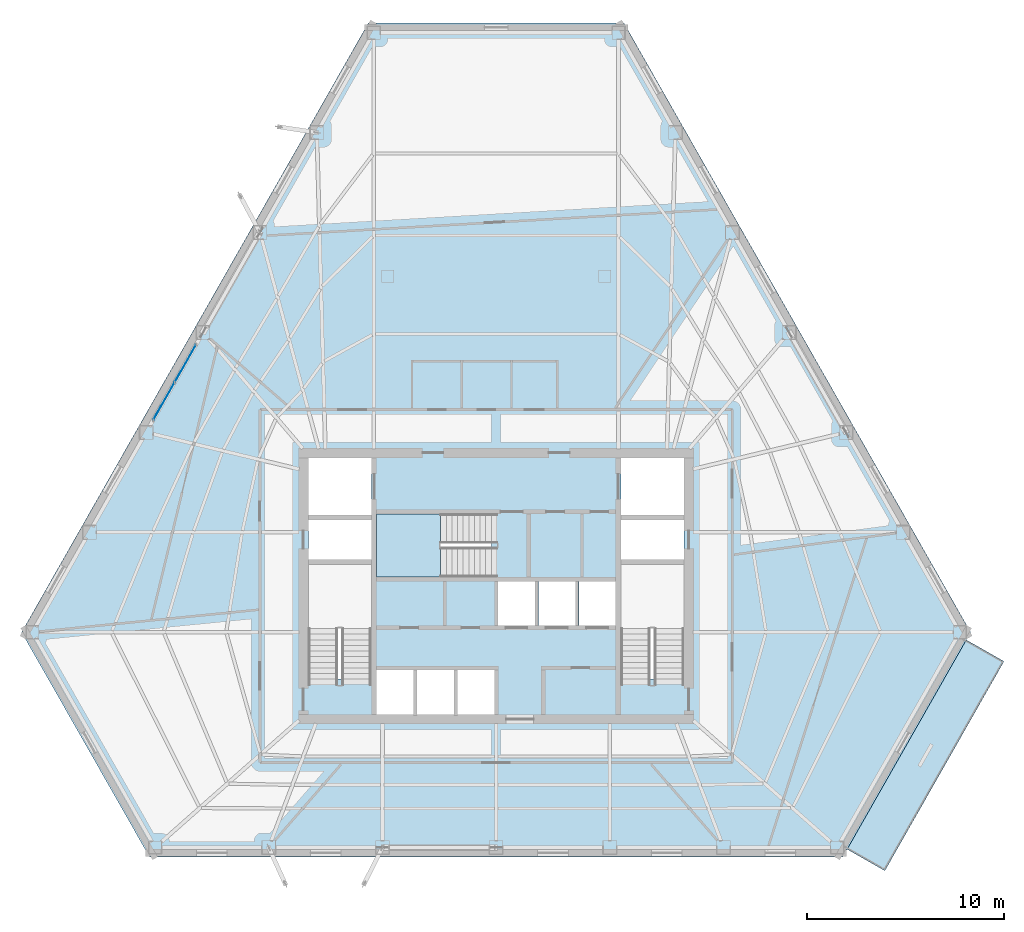
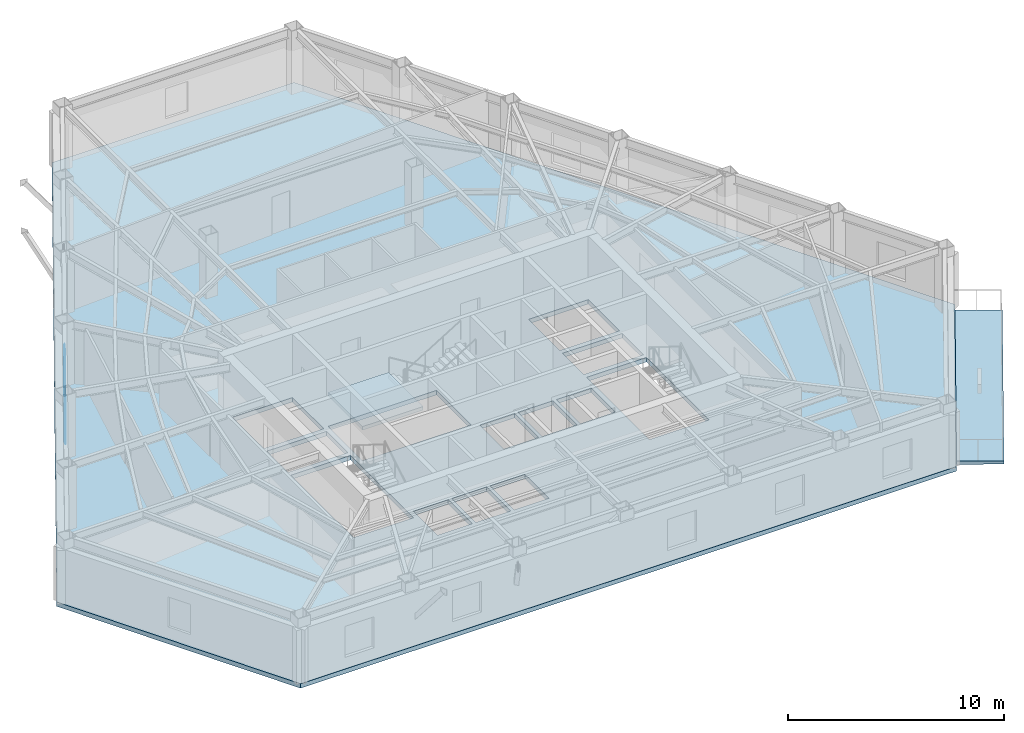
# One storey, part 4 of 12: 3 slabs, 2 plates, 2 elements without a shape of their own.
"""IFC4 building model written with IfcOpenShell, lengths in metres."""

from ifc_helpers import new_model, si_unit, direction, frame, origin, origin_2d, place, context, subcontext, project, spatial, polyline, rectangle, outline, extrude, material, layer, layer_set, type_object, element, aggregate, save


model = new_model("IFC4")

# Units and contexts
model_context = context("Model", 3, precision=1e-05, world=origin(), true_north=direction((0.0, 1.0)))
body_context = subcontext(model_context, "Body", "Model", "MODEL_VIEW")
ifc_project = project(units=[si_unit("LENGTHUNIT", "METRE"), si_unit("AREAUNIT", "SQUARE_METRE"), si_unit("VOLUMEUNIT", "CUBIC_METRE"), si_unit("PLANEANGLEUNIT", "RADIAN"), si_unit("MASSUNIT", "GRAM", prefix="KILO")], contexts=[model_context])

# Site, building, storey
site_placement = place(None, origin())
site = spatial("IfcSite", under=ifc_project, at=site_placement, CompositionType="ELEMENT")
building_placement = place(site_placement, origin())
building = spatial("IfcBuilding", under=site, at=building_placement, Name="Kavelnor Concourse Tower", CompositionType="ELEMENT")
storey_placement = place(building_placement, frame((0.0, 0.0, 93.199951171875)))
storey = spatial("IfcBuildingStorey", under=building, at=storey_placement, Name="L23", CompositionType="ELEMENT", Elevation=93.199951171875)

# Curtain wall, plates
ifc_material_1 = material(Name="Anodised aluminium 6063-T6", Category="aluminium")
ifc_layer_1 = layer(ifc_material_1, 0.139892578125, Name="Anodised aluminium 6063-T6")
ifc_layer_set_1 = layer_set([ifc_layer_1], Name="Anodised aluminium 6063-T6")
curtain_wall_type = type_object("IfcCurtainWallType", Name="CW-TERRACE-PAVILION", PredefinedType="NOTDEFINED", material=ifc_layer_set_1)
curtain_wall_placement = place(storey_placement, origin())
curtain_wall = element("IfcCurtainWall", 1, at=curtain_wall_placement, inside=storey, type_object=curtain_wall_type, Name="L23 Terrace Pavilion Curtain Wall", PredefinedType="NOTDEFINED")
ifc_material_2 = material(Name="Double low-E argon insulated glazing", Category="glass")
ifc_layer_2 = layer(ifc_material_2, 0.02392578125, Name="Double low-E argon insulated glazing")
ifc_layer_set_2 = layer_set([ifc_layer_2], Name="Double low-E argon insulated glazing")
plate_type = type_object("IfcPlateType", Name="CW-TERRACE-PAVILION-PANEL", PredefinedType="CURTAIN_PANEL", material=ifc_layer_set_2)
plate_1_placement = place(storey_placement, frame((22.253662109375, 27.385986328125, 0.06005859375), z_axis=(0.0, 0.0, 1.0), x_axis=(-0.494700455876, -0.869063552887, 0.0)))
plate_1 = element("IfcPlate", 2, at=plate_1_placement, type_object=plate_type, Name="L23 Terrace Pavilion Curtain Wall Vision Panel 1", PredefinedType="CURTAIN_PANEL", context=body_context, shape_type="SweptSolid", body=[
    extrude(rectangle(XDim=2.16455078125, YDim=0.02392578125, at=origin_2d()), origin(), (0.0, 0.0, 1.0), 2.6298828125),
])
plate_2_placement = place(storey_placement, frame((21.15869140625, 25.462158203125, 0.06005859375), z_axis=(0.0, 0.0, 1.0), x_axis=(-0.494700455876, -0.869063552887, 0.0)))
plate_2 = element("IfcPlate", 3, at=plate_2_placement, type_object=plate_type, Name="L23 Terrace Pavilion Curtain Wall Vision Panel 2", PredefinedType="CURTAIN_PANEL", context=body_context, shape_type="SweptSolid", body=[
    extrude(rectangle(XDim=2.16455078125, YDim=0.02392578125, at=origin_2d()), origin(), (0.0, 0.0, 1.0), 2.6298828125),
])
aggregate(curtain_wall, [plate_1, plate_2])

# Stair, slab
ifc_material_3 = material(Name="Concrete C40/50", Category="concrete")
stair_type = type_object("IfcStairType", Name="STR-CORE-1500", PredefinedType="HALF_TURN_STAIR", material=ifc_material_3)
stair_placement = place(storey_placement, origin())
stair = element("IfcStair", 4, at=stair_placement, inside=storey, type_object=stair_type, Name="L23 ST3", PredefinedType="HALF_TURN_STAIR")
ifc_layer_3 = layer(ifc_material_3, 0.199951171875, Name="Concrete C40/50")
ifc_layer_set_3 = layer_set([ifc_layer_3], Name="Concrete C40/50")
slab_type_1 = type_object("IfcSlabType", Name="SLB-LANDING-200", PredefinedType="LANDING", material=ifc_layer_set_3)
slab_1_placement = place(storey_placement, frame((0.0, 0.0, 1.72509765625)))
slab_1 = element("IfcSlab", 5, at=slab_1_placement, type_object=slab_type_1, Name="ST3 landing 1", PredefinedType="LANDING", context=body_context, shape_type="SweptSolid", body=[
    extrude(outline(polyline([(35.18994140625, 19.760009765625), (31.93994140625, 19.760009765625), (31.93994140625, 16.56005859375), (35.18994140625, 16.56005859375), (35.18994140625, 19.760009765625)])), origin(), (0.0, 0.0, 1.0), 0.199951171875),
])
aggregate(stair, [slab_1])

# Slabs
ifc_layer_4 = layer(ifc_material_3, 0.25, Name="Concrete C40/50")
ifc_layer_set_4 = layer_set([ifc_layer_4], Name="Concrete C40/50")
slab_type_2 = type_object("IfcSlabType", Name="SLB-OFFICE-250", PredefinedType="FLOOR", material=ifc_layer_set_4)
slab_2_placement = place(storey_placement, frame((0.0, 0.0, -0.25)))
element("IfcSlab", 6, at=slab_2_placement, inside=storey, type_object=slab_type_2, Name="L23 Composite Structural Floor Slab", PredefinedType="FLOOR", context=body_context, shape_type="SweptSolid", body=[
    extrude(outline(polyline([(44.484619140625, 44.62939453125), (31.515380859375, 44.62939453125), (13.947998046875, 13.76318359375), (20.4326171875, 2.36962890625), (55.5673828125, 2.36962890625), (62.052001953125, 13.76318359375), (44.484619140625, 44.62939453125)]), holes=[polyline([(28.47998046875, 11.3798828125), (31.679931640625, 11.3798828125), (31.679931640625, 17.199951171875), (28.47998046875, 17.199951171875), (28.47998046875, 11.3798828125)]), polyline([(44.320068359375, 11.3798828125), (47.52001953125, 11.3798828125), (47.52001953125, 17.199951171875), (44.320068359375, 17.199951171875), (44.320068359375, 11.3798828125)]), polyline([(31.93994140625, 16.56005859375), (37.760009765625, 16.56005859375), (37.760009765625, 19.760009765625), (31.93994140625, 19.760009765625), (31.93994140625, 16.56005859375)]), polyline([(28.47998046875, 19.699951171875), (31.679931640625, 19.699951171875), (31.679931640625, 22.60009765625), (28.47998046875, 22.60009765625), (28.47998046875, 19.699951171875)]), polyline([(44.320068359375, 19.699951171875), (47.52001953125, 19.699951171875), (47.52001953125, 22.60009765625), (44.320068359375, 22.60009765625), (44.320068359375, 19.699951171875)]), polyline([(38.090087890625, 14.10009765625), (39.9599609375, 14.10009765625), (39.9599609375, 16.340087890625), (38.090087890625, 16.340087890625), (38.090087890625, 14.10009765625)]), polyline([(40.139892578125, 14.10009765625), (42.010009765625, 14.10009765625), (42.010009765625, 16.340087890625), (40.139892578125, 16.340087890625), (40.139892578125, 14.10009765625)]), polyline([(42.18994140625, 14.10009765625), (44.06005859375, 14.10009765625), (44.06005859375, 16.340087890625), (42.18994140625, 16.340087890625), (42.18994140625, 14.10009765625)]), polyline([(31.93994140625, 9.60009765625), (33.81005859375, 9.60009765625), (33.81005859375, 11.840087890625), (31.93994140625, 11.840087890625), (31.93994140625, 9.60009765625)]), polyline([(33.989990234375, 9.60009765625), (35.860107421875, 9.60009765625), (35.860107421875, 11.840087890625), (33.989990234375, 11.840087890625), (33.989990234375, 9.60009765625)]), polyline([(36.0400390625, 9.60009765625), (37.909912109375, 9.60009765625), (37.909912109375, 11.840087890625), (36.0400390625, 11.840087890625), (36.0400390625, 9.60009765625)]), polyline([(28.47998046875, 17.4599609375), (31.679931640625, 17.4599609375), (31.679931640625, 19.43994140625), (28.47998046875, 19.43994140625), (28.47998046875, 17.4599609375)]), polyline([(44.320068359375, 17.4599609375), (47.52001953125, 17.4599609375), (47.52001953125, 19.43994140625), (44.320068359375, 19.43994140625), (44.320068359375, 17.4599609375)])]), origin(), (0.0, 0.0, 1.0), 0.25),
])
ifc_layer_5 = layer(ifc_material_3, 0.18994140625, Name="Concrete C40/50")
ifc_layer_set_5 = layer_set([ifc_layer_5], Name="Concrete C40/50")
slab_type_3 = type_object("IfcSlabType", Name="SLB-TERRACE-190", PredefinedType="FLOOR", material=ifc_layer_set_5)
slab_3_placement = place(storey_placement, frame((0.0, 0.0, -0.18994140625)))
element("IfcSlab", 7, at=slab_3_placement, inside=storey, type_object=slab_type_3, Name="L23 Spiralling Sky Terrace Slab", PredefinedType="FLOOR", context=body_context, shape_type="SweptSolid", body=[
    extrude(outline(polyline([(63.741455078125, 12.28369140625), (57.7021484375, 1.672607421875), (55.7900390625, 2.7607421875), (61.829345703125, 13.3720703125), (63.741455078125, 12.28369140625)])), origin(), (0.0, 0.0, 1.0), 0.18994140625),
])

save(model, "model.ifc")
